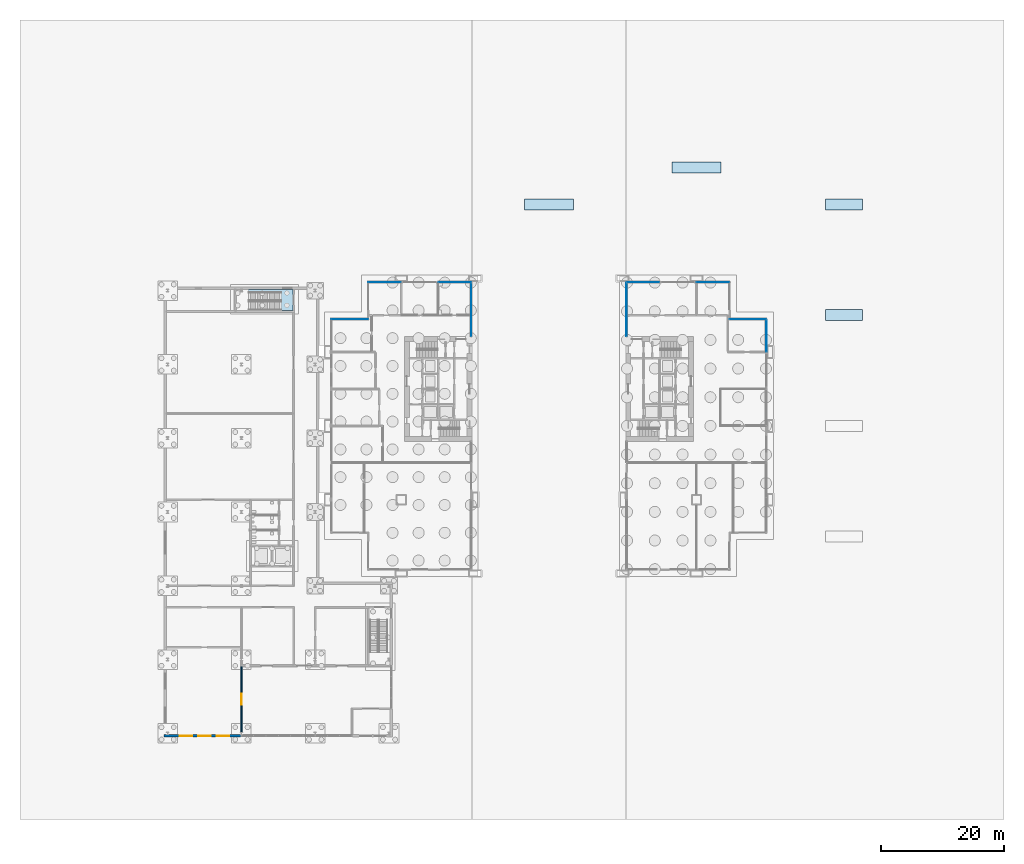
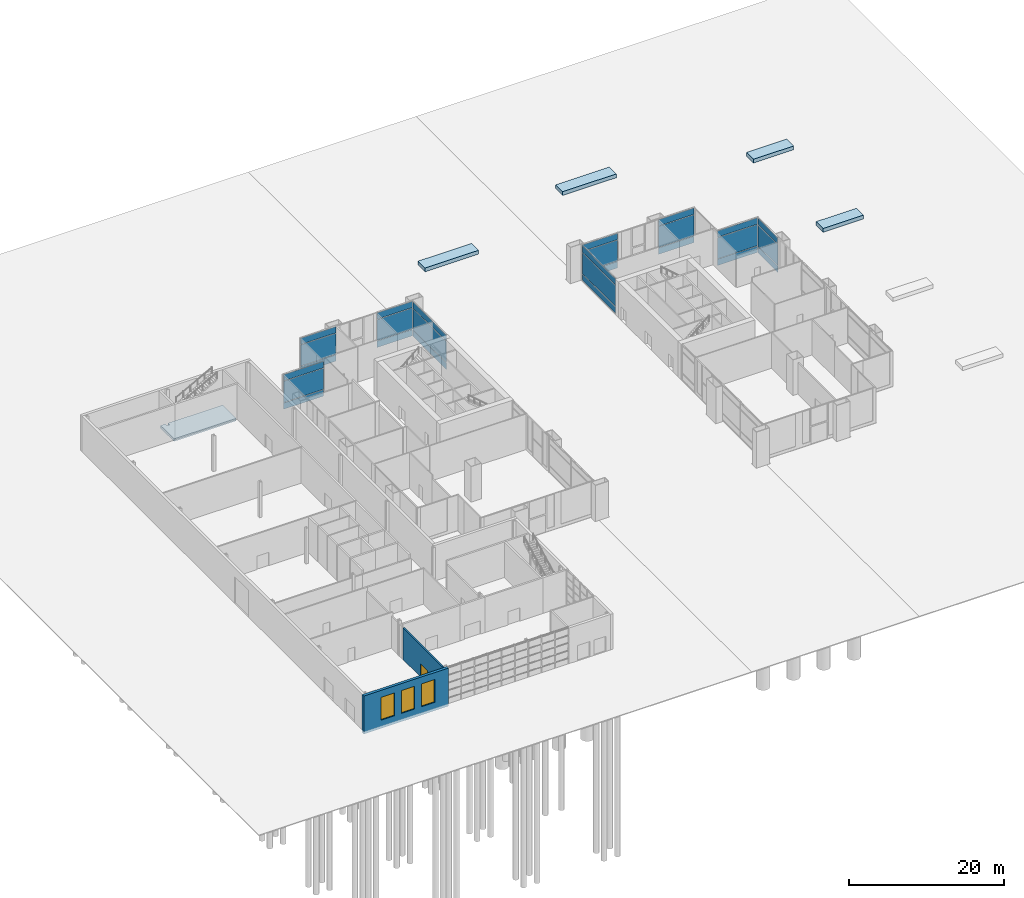
# One storey, part 17 of 29: 27 plates, 5 slabs, 3 windows, 2 walls, 1 door, 4 openings, 9 elements without a shape of their own.
"""IFC4 building model written with IfcOpenShell, lengths in metres."""

from ifc_helpers import new_model, si_unit, direction, frame, frame_2d, origin, origin_2d, place, context, subcontext, project, spatial, polyline, rectangle, outline, extrude, material, layer, layer_set, type_object, element, fill, aggregate, save


model = new_model("IFC4")

# Units and contexts
model_context = context("Model", 3, precision=1e-05, world=origin(), true_north=direction((0.0, 1.0)))
body_context = subcontext(model_context, "Body", "Model", "MODEL_VIEW")
ifc_project = project(units=[si_unit("LENGTHUNIT", "METRE"), si_unit("AREAUNIT", "SQUARE_METRE"), si_unit("VOLUMEUNIT", "CUBIC_METRE"), si_unit("PLANEANGLEUNIT", "RADIAN"), si_unit("MASSUNIT", "GRAM", prefix="KILO")], contexts=[model_context])

# Site, building, storey
site_placement = place(None, origin())
site = spatial("IfcSite", under=ifc_project, at=site_placement, CompositionType="ELEMENT")
building_placement = place(site_placement, origin())
building = spatial("IfcBuilding", under=site, at=building_placement, Name="Kitamizu Gate Tower and Museum", CompositionType="ELEMENT")
storey_placement = place(building_placement, origin())
storey = spatial("IfcBuildingStorey", under=building, at=storey_placement, Name="L00", CompositionType="ELEMENT", Elevation=0.0)

# Curtain wall, plates
ifc_material_1 = material(Name="Bronze anodised aluminium frame, tinted triple glazing", Category="aluminium")
curtain_wall_type_1 = type_object("IfcCurtainWallType", Name="CURTAIN WALL TYPE E PODIUM PLAZA", PredefinedType="NOTDEFINED", material=ifc_material_1)
curtain_wall_1_placement = place(storey_placement, origin())
curtain_wall_1 = element("IfcCurtainWall", 1, at=curtain_wall_1_placement, inside=storey, type_object=curtain_wall_type_1, Name="Curtain wall CW-E north L00", PredefinedType="NOTDEFINED")
ifc_material_2 = material(Name="Tinted insulating glass", Category="glass")
ifc_layer_1 = layer(ifc_material_2, 0.033935546875)
ifc_layer_set_1 = layer_set([ifc_layer_1], Name="Tinted insulating glass")
plate_type_1 = type_object("IfcPlateType", Name="GLASS PANEL 34 TYPE E", PredefinedType="CURTAIN_PANEL", material=ifc_layer_set_1)
plate_1_placement = place(storey_placement, frame((9.280029296875, 47.364990234375, 0.06982421875), z_axis=(0.0, 0.0, 1.0), x_axis=(1.0, 0.0, 0.0)))
plate_1 = element("IfcPlate", 2, at=plate_1_placement, type_object=plate_type_1, Name="CW-E panel 1.1", PredefinedType="CURTAIN_PANEL", context=body_context, shape_type="SweptSolid", body=[
    extrude(rectangle(XDim=5.280029296875, YDim=0.033935546875, at=origin_2d()), origin(), (0.0, 0.0, 1.0), 0.9951171875),
])
plate_2_placement = place(storey_placement, frame((9.280029296875, 47.364990234375, 1.135009765625), z_axis=(0.0, 0.0, 1.0), x_axis=(1.0, 0.0, 0.0)))
plate_2 = element("IfcPlate", 3, at=plate_2_placement, type_object=plate_type_1, Name="CW-E panel 1.2", PredefinedType="CURTAIN_PANEL", context=body_context, shape_type="SweptSolid", body=[
    extrude(rectangle(XDim=5.280029296875, YDim=0.033935546875, at=origin_2d()), origin(), (0.0, 0.0, 1.0), 3.330078125),
])
plate_3_placement = place(storey_placement, frame((9.280029296875, 47.364990234375, 4.534912109375), z_axis=(0.0, 0.0, 1.0), x_axis=(1.0, 0.0, 0.0)))
plate_3 = element("IfcPlate", 4, at=plate_3_placement, type_object=plate_type_1, Name="CW-E panel 1.3", PredefinedType="CURTAIN_PANEL", context=body_context, shape_type="SweptSolid", body=[
    extrude(rectangle(XDim=5.280029296875, YDim=0.033935546875, at=origin_2d()), origin(), (0.0, 0.0, 1.0), 0.9951171875),
])
aggregate(curtain_wall_1, [plate_1, plate_2, plate_3])

curtain_wall_2_placement = place(storey_placement, origin())
curtain_wall_2 = element("IfcCurtainWall", 5, at=curtain_wall_2_placement, inside=storey, type_object=curtain_wall_type_1, Name="Curtain wall CW-E north L00", PredefinedType="NOTDEFINED")
plate_4_placement = place(storey_placement, frame((20.719970703125, 47.364990234375, 0.06982421875), z_axis=(0.0, 0.0, 1.0), x_axis=(1.0, 0.0, 0.0)))
plate_4 = element("IfcPlate", 6, at=plate_4_placement, type_object=plate_type_1, Name="CW-E panel 1.1", PredefinedType="CURTAIN_PANEL", context=body_context, shape_type="SweptSolid", body=[
    extrude(rectangle(XDim=5.280029296875, YDim=0.033935546875, at=origin_2d()), origin(), (0.0, 0.0, 1.0), 0.9951171875),
])
plate_5_placement = place(storey_placement, frame((20.719970703125, 47.364990234375, 1.135009765625), z_axis=(0.0, 0.0, 1.0), x_axis=(1.0, 0.0, 0.0)))
plate_5 = element("IfcPlate", 7, at=plate_5_placement, type_object=plate_type_1, Name="CW-E panel 1.2", PredefinedType="CURTAIN_PANEL", context=body_context, shape_type="SweptSolid", body=[
    extrude(rectangle(XDim=5.280029296875, YDim=0.033935546875, at=origin_2d()), origin(), (0.0, 0.0, 1.0), 3.330078125),
])
plate_6_placement = place(storey_placement, frame((20.719970703125, 47.364990234375, 4.534912109375), z_axis=(0.0, 0.0, 1.0), x_axis=(1.0, 0.0, 0.0)))
plate_6 = element("IfcPlate", 8, at=plate_6_placement, type_object=plate_type_1, Name="CW-E panel 1.3", PredefinedType="CURTAIN_PANEL", context=body_context, shape_type="SweptSolid", body=[
    extrude(rectangle(XDim=5.280029296875, YDim=0.033935546875, at=origin_2d()), origin(), (0.0, 0.0, 1.0), 0.9951171875),
])
aggregate(curtain_wall_2, [plate_4, plate_5, plate_6])

curtain_wall_3_placement = place(storey_placement, origin())
curtain_wall_3 = element("IfcCurtainWall", 9, at=curtain_wall_3_placement, inside=storey, type_object=curtain_wall_type_1, Name="Curtain wall CW-E north L00", PredefinedType="NOTDEFINED")
plate_7_placement = place(storey_placement, frame((3.635009765625, 41.364990234375, 0.06982421875), z_axis=(0.0, 0.0, 1.0), x_axis=(1.0, 0.0, 0.0)))
plate_7 = element("IfcPlate", 10, at=plate_7_placement, type_object=plate_type_1, Name="CW-E panel 1.1", PredefinedType="CURTAIN_PANEL", context=body_context, shape_type="SweptSolid", body=[
    extrude(rectangle(XDim=5.989990234375, YDim=0.033935546875, at=origin_2d()), origin(), (0.0, 0.0, 1.0), 0.9951171875),
])
plate_8_placement = place(storey_placement, frame((3.635009765625, 41.364990234375, 1.135009765625), z_axis=(0.0, 0.0, 1.0), x_axis=(1.0, 0.0, 0.0)))
plate_8 = element("IfcPlate", 11, at=plate_8_placement, type_object=plate_type_1, Name="CW-E panel 1.2", PredefinedType="CURTAIN_PANEL", context=body_context, shape_type="SweptSolid", body=[
    extrude(rectangle(XDim=5.989990234375, YDim=0.033935546875, at=origin_2d()), origin(), (0.0, 0.0, 1.0), 3.330078125),
])
plate_9_placement = place(storey_placement, frame((3.635009765625, 41.364990234375, 4.534912109375), z_axis=(0.0, 0.0, 1.0), x_axis=(1.0, 0.0, 0.0)))
plate_9 = element("IfcPlate", 12, at=plate_9_placement, type_object=plate_type_1, Name="CW-E panel 1.3", PredefinedType="CURTAIN_PANEL", context=body_context, shape_type="SweptSolid", body=[
    extrude(rectangle(XDim=5.989990234375, YDim=0.033935546875, at=origin_2d()), origin(), (0.0, 0.0, 1.0), 0.9951171875),
])
aggregate(curtain_wall_3, [plate_7, plate_8, plate_9])

curtain_wall_4_placement = place(storey_placement, origin())
curtain_wall_4 = element("IfcCurtainWall", 13, at=curtain_wall_4_placement, inside=storey, type_object=curtain_wall_type_1, Name="Curtain wall CW-E north L00", PredefinedType="NOTDEFINED")
plate_10_placement = place(storey_placement, frame((68.364990234375, 41.364990234375, 0.06982421875), z_axis=(0.0, 0.0, 1.0), x_axis=(1.0, 0.0, 0.0)))
plate_10 = element("IfcPlate", 14, at=plate_10_placement, type_object=plate_type_1, Name="CW-E panel 1.1", PredefinedType="CURTAIN_PANEL", context=body_context, shape_type="SweptSolid", body=[
    extrude(rectangle(XDim=5.989990234375, YDim=0.033935546875, at=origin_2d()), origin(), (0.0, 0.0, 1.0), 0.9951171875),
])
plate_11_placement = place(storey_placement, frame((68.364990234375, 41.364990234375, 1.135009765625), z_axis=(0.0, 0.0, 1.0), x_axis=(1.0, 0.0, 0.0)))
plate_11 = element("IfcPlate", 15, at=plate_11_placement, type_object=plate_type_1, Name="CW-E panel 1.2", PredefinedType="CURTAIN_PANEL", context=body_context, shape_type="SweptSolid", body=[
    extrude(rectangle(XDim=5.989990234375, YDim=0.033935546875, at=origin_2d()), origin(), (0.0, 0.0, 1.0), 3.330078125),
])
plate_12_placement = place(storey_placement, frame((68.364990234375, 41.364990234375, 4.534912109375), z_axis=(0.0, 0.0, 1.0), x_axis=(1.0, 0.0, 0.0)))
plate_12 = element("IfcPlate", 16, at=plate_12_placement, type_object=plate_type_1, Name="CW-E panel 1.3", PredefinedType="CURTAIN_PANEL", context=body_context, shape_type="SweptSolid", body=[
    extrude(rectangle(XDim=5.989990234375, YDim=0.033935546875, at=origin_2d()), origin(), (0.0, 0.0, 1.0), 0.9951171875),
])
aggregate(curtain_wall_4, [plate_10, plate_11, plate_12])

curtain_wall_5_placement = place(storey_placement, origin())
curtain_wall_5 = element("IfcCurtainWall", 17, at=curtain_wall_5_placement, inside=storey, type_object=curtain_wall_type_1, Name="Curtain wall CW-E north L00", PredefinedType="NOTDEFINED")
plate_13_placement = place(storey_placement, frame((51.280029296875, 47.364990234375, 0.06982421875), z_axis=(0.0, 0.0, 1.0), x_axis=(1.0, 0.0, 0.0)))
plate_13 = element("IfcPlate", 18, at=plate_13_placement, type_object=plate_type_1, Name="CW-E panel 1.1", PredefinedType="CURTAIN_PANEL", context=body_context, shape_type="SweptSolid", body=[
    extrude(rectangle(XDim=5.280029296875, YDim=0.033935546875, at=origin_2d()), origin(), (0.0, 0.0, 1.0), 0.9951171875),
])
plate_14_placement = place(storey_placement, frame((51.280029296875, 47.364990234375, 1.135009765625), z_axis=(0.0, 0.0, 1.0), x_axis=(1.0, 0.0, 0.0)))
plate_14 = element("IfcPlate", 19, at=plate_14_placement, type_object=plate_type_1, Name="CW-E panel 1.2", PredefinedType="CURTAIN_PANEL", context=body_context, shape_type="SweptSolid", body=[
    extrude(rectangle(XDim=5.280029296875, YDim=0.033935546875, at=origin_2d()), origin(), (0.0, 0.0, 1.0), 3.330078125),
])
plate_15_placement = place(storey_placement, frame((51.280029296875, 47.364990234375, 4.534912109375), z_axis=(0.0, 0.0, 1.0), x_axis=(1.0, 0.0, 0.0)))
plate_15 = element("IfcPlate", 20, at=plate_15_placement, type_object=plate_type_1, Name="CW-E panel 1.3", PredefinedType="CURTAIN_PANEL", context=body_context, shape_type="SweptSolid", body=[
    extrude(rectangle(XDim=5.280029296875, YDim=0.033935546875, at=origin_2d()), origin(), (0.0, 0.0, 1.0), 0.9951171875),
])
aggregate(curtain_wall_5, [plate_13, plate_14, plate_15])

curtain_wall_6_placement = place(storey_placement, origin())
curtain_wall_6 = element("IfcCurtainWall", 21, at=curtain_wall_6_placement, inside=storey, type_object=curtain_wall_type_1, Name="Curtain wall CW-E north L00", PredefinedType="NOTDEFINED")
plate_16_placement = place(storey_placement, frame((62.719970703125, 47.364990234375, 0.06982421875), z_axis=(0.0, 0.0, 1.0), x_axis=(1.0, 0.0, 0.0)))
plate_16 = element("IfcPlate", 22, at=plate_16_placement, type_object=plate_type_1, Name="CW-E panel 1.1", PredefinedType="CURTAIN_PANEL", context=body_context, shape_type="SweptSolid", body=[
    extrude(rectangle(XDim=5.280029296875, YDim=0.033935546875, at=origin_2d()), origin(), (0.0, 0.0, 1.0), 0.9951171875),
])
plate_17_placement = place(storey_placement, frame((62.719970703125, 47.364990234375, 1.135009765625), z_axis=(0.0, 0.0, 1.0), x_axis=(1.0, 0.0, 0.0)))
plate_17 = element("IfcPlate", 23, at=plate_17_placement, type_object=plate_type_1, Name="CW-E panel 1.2", PredefinedType="CURTAIN_PANEL", context=body_context, shape_type="SweptSolid", body=[
    extrude(rectangle(XDim=5.280029296875, YDim=0.033935546875, at=origin_2d()), origin(), (0.0, 0.0, 1.0), 3.330078125),
])
plate_18_placement = place(storey_placement, frame((62.719970703125, 47.364990234375, 4.534912109375), z_axis=(0.0, 0.0, 1.0), x_axis=(1.0, 0.0, 0.0)))
plate_18 = element("IfcPlate", 24, at=plate_18_placement, type_object=plate_type_1, Name="CW-E panel 1.3", PredefinedType="CURTAIN_PANEL", context=body_context, shape_type="SweptSolid", body=[
    extrude(rectangle(XDim=5.280029296875, YDim=0.033935546875, at=origin_2d()), origin(), (0.0, 0.0, 1.0), 0.9951171875),
])
aggregate(curtain_wall_6, [plate_16, plate_17, plate_18])

ifc_material_3 = material(Name="Bronze anodised aluminium frame, tinted triple glazing", Category="aluminium")
curtain_wall_type_2 = type_object("IfcCurtainWallType", Name="CURTAIN WALL TYPE A PODIUM", PredefinedType="NOTDEFINED", material=ifc_material_3)
curtain_wall_7_placement = place(storey_placement, origin())
curtain_wall_7 = element("IfcCurtainWall", 25, at=curtain_wall_7_placement, inside=storey, type_object=curtain_wall_type_2, Name="Curtain wall CW-A east L00", PredefinedType="NOTDEFINED")
ifc_material_4 = material(Name="Tinted insulating glass", Category="glass")
ifc_layer_2 = layer(ifc_material_4, 0.035888671875)
ifc_layer_set_2 = layer_set([ifc_layer_2], Name="Tinted insulating glass")
plate_type_2 = type_object("IfcPlateType", Name="GLASS PANEL 36 TYPE A", PredefinedType="CURTAIN_PANEL", material=ifc_layer_set_2)
plate_19_placement = place(storey_placement, frame((23.364990234375, 42.89501953125, 0.080078125), z_axis=(0.0, 0.0, 1.0), x_axis=(0.0, 1.0, 0.0)))
plate_19 = element("IfcPlate", 26, at=plate_19_placement, type_object=plate_type_2, Name="CW-A panel 1.1", PredefinedType="CURTAIN_PANEL", context=body_context, shape_type="SweptSolid", body=[
    extrude(rectangle(XDim=8.610107421875, YDim=0.035888671875, at=origin_2d()), origin(), (0.0, 0.0, 1.0), 0.97998046875),
])
plate_20_placement = place(storey_placement, frame((23.364990234375, 42.89501953125, 1.14013671875), z_axis=(0.0, 0.0, 1.0), x_axis=(0.0, 1.0, 0.0)))
plate_20 = element("IfcPlate", 27, at=plate_20_placement, type_object=plate_type_2, Name="CW-A panel 1.2", PredefinedType="CURTAIN_PANEL", context=body_context, shape_type="SweptSolid", body=[
    extrude(rectangle(XDim=8.610107421875, YDim=0.035888671875, at=origin_2d()), origin(), (0.0, 0.0, 1.0), 3.320068359375),
])
plate_21_placement = place(storey_placement, frame((23.364990234375, 42.89501953125, 4.5400390625), z_axis=(0.0, 0.0, 1.0), x_axis=(0.0, 1.0, 0.0)))
plate_21 = element("IfcPlate", 28, at=plate_21_placement, type_object=plate_type_2, Name="CW-A panel 1.3", PredefinedType="CURTAIN_PANEL", context=body_context, shape_type="SweptSolid", body=[
    extrude(rectangle(XDim=8.610107421875, YDim=0.035888671875, at=origin_2d()), origin(), (0.0, 0.0, 1.0), 0.97998046875),
])
aggregate(curtain_wall_7, [plate_19, plate_20, plate_21])

curtain_wall_8_placement = place(storey_placement, origin())
curtain_wall_8 = element("IfcCurtainWall", 29, at=curtain_wall_8_placement, inside=storey, type_object=curtain_wall_type_2, Name="Curtain wall CW-A west L00", PredefinedType="NOTDEFINED")
plate_22_placement = place(storey_placement, frame((48.635009765625, 42.89501953125, 0.080078125), z_axis=(0.0, 0.0, 1.0), x_axis=(0.0, 1.0, 0.0)))
plate_22 = element("IfcPlate", 30, at=plate_22_placement, type_object=plate_type_2, Name="CW-A panel 1.1", PredefinedType="CURTAIN_PANEL", context=body_context, shape_type="SweptSolid", body=[
    extrude(rectangle(XDim=8.610107421875, YDim=0.035888671875, at=origin_2d()), origin(), (0.0, 0.0, 1.0), 0.97998046875),
])
plate_23_placement = place(storey_placement, frame((48.635009765625, 42.89501953125, 1.14013671875), z_axis=(0.0, 0.0, 1.0), x_axis=(0.0, 1.0, 0.0)))
plate_23 = element("IfcPlate", 31, at=plate_23_placement, type_object=plate_type_2, Name="CW-A panel 1.2", PredefinedType="CURTAIN_PANEL", context=body_context, shape_type="SweptSolid", body=[
    extrude(rectangle(XDim=8.610107421875, YDim=0.035888671875, at=origin_2d()), origin(), (0.0, 0.0, 1.0), 3.320068359375),
])
plate_24_placement = place(storey_placement, frame((48.635009765625, 42.89501953125, 4.5400390625), z_axis=(0.0, 0.0, 1.0), x_axis=(0.0, 1.0, 0.0)))
plate_24 = element("IfcPlate", 32, at=plate_24_placement, type_object=plate_type_2, Name="CW-A panel 1.3", PredefinedType="CURTAIN_PANEL", context=body_context, shape_type="SweptSolid", body=[
    extrude(rectangle(XDim=8.610107421875, YDim=0.035888671875, at=origin_2d()), origin(), (0.0, 0.0, 1.0), 0.97998046875),
])
aggregate(curtain_wall_8, [plate_22, plate_23, plate_24])

curtain_wall_9_placement = place(storey_placement, origin())
curtain_wall_9 = element("IfcCurtainWall", 33, at=curtain_wall_9_placement, inside=storey, type_object=curtain_wall_type_2, Name="Curtain wall CW-A east L00", PredefinedType="NOTDEFINED")
plate_25_placement = place(storey_placement, frame((71.364990234375, 38.64501953125, 0.080078125), z_axis=(0.0, 0.0, 1.0), x_axis=(0.0, 1.0, 0.0)))
plate_25 = element("IfcPlate", 34, at=plate_25_placement, type_object=plate_type_2, Name="CW-A panel 1.1", PredefinedType="CURTAIN_PANEL", context=body_context, shape_type="SweptSolid", body=[
    extrude(rectangle(XDim=5.110107421875, YDim=0.035888671875, at=origin_2d()), origin(), (0.0, 0.0, 1.0), 0.97998046875),
])
plate_26_placement = place(storey_placement, frame((71.364990234375, 38.64501953125, 1.14013671875), z_axis=(0.0, 0.0, 1.0), x_axis=(0.0, 1.0, 0.0)))
plate_26 = element("IfcPlate", 35, at=plate_26_placement, type_object=plate_type_2, Name="CW-A panel 1.2", PredefinedType="CURTAIN_PANEL", context=body_context, shape_type="SweptSolid", body=[
    extrude(rectangle(XDim=5.110107421875, YDim=0.035888671875, at=origin_2d()), origin(), (0.0, 0.0, 1.0), 3.320068359375),
])
plate_27_placement = place(storey_placement, frame((71.364990234375, 38.64501953125, 4.5400390625), z_axis=(0.0, 0.0, 1.0), x_axis=(0.0, 1.0, 0.0)))
plate_27 = element("IfcPlate", 36, at=plate_27_placement, type_object=plate_type_2, Name="CW-A panel 1.3", PredefinedType="CURTAIN_PANEL", context=body_context, shape_type="SweptSolid", body=[
    extrude(rectangle(XDim=5.110107421875, YDim=0.035888671875, at=origin_2d()), origin(), (0.0, 0.0, 1.0), 0.97998046875),
])
aggregate(curtain_wall_9, [plate_25, plate_26, plate_27])

# Slabs
ifc_material_5 = material(Name="Concrete Fc30", Category="concrete")
ifc_layer_3 = layer(ifc_material_5, 0.39990234375)
ifc_layer_set_3 = layer_set([ifc_layer_3], Name="Concrete Fc30")
slab_type_1 = type_object("IfcSlabType", Name="Museum ground slab 400", PredefinedType="BASESLAB", material=ifc_layer_set_3)
slab_1_placement = place(storey_placement, frame((0.0, 0.0, -0.39990234375)))
element("IfcSlab", 37, at=slab_1_placement, inside=storey, type_object=slab_type_1, Name="Floor slab L00.3", PredefinedType="BASESLAB", context=body_context, shape_type="SweptSolid", body=[
    extrude(outline(polyline([(-14.875, 42.72509765625), (-14.875, 46.199951171875), (-14.200439453125, 46.199951171875), (-14.200439453125, 45.799560546875), (-13.799560546875, 45.799560546875), (-13.799560546875, 46.199951171875), (-5.625, 46.199951171875), (-5.625, 42.72509765625), (-14.875, 42.72509765625)])), origin(), (0.0, 0.0, 1.0), 0.39990234375),
])
ifc_material_6 = material(Name="Concrete Fc42", Category="concrete")
ifc_layer_4 = layer(ifc_material_6, 0.60009765625)
ifc_layer_set_4 = layer_set([ifc_layer_4], Name="Concrete Fc42")
slab_type_2 = type_object("IfcSlabType", Name="PLANTER 600", PredefinedType="USERDEFINED", material=ifc_layer_set_4)
slab_2_placement = place(storey_placement, origin())
element("IfcSlab", 38, at=slab_2_placement, inside=storey, type_object=slab_type_2, Name="Planter 3", ObjectType="PLANTER", PredefinedType="USERDEFINED", context=body_context, shape_type="SweptSolid", body=[
    extrude(outline(polyline([(87.0, 41.10009765625), (87.0, 42.89990234375), (81.0, 42.89990234375), (81.0, 41.10009765625), (87.0, 41.10009765625)])), origin(), (0.0, 0.0, 1.0), 0.60009765625),
])
slab_3_placement = place(storey_placement, origin())
element("IfcSlab", 39, at=slab_3_placement, inside=storey, type_object=slab_type_2, Name="Planter 4", ObjectType="PLANTER", PredefinedType="USERDEFINED", context=body_context, shape_type="SweptSolid", body=[
    extrude(outline(polyline([(87.0, 59.10009765625), (87.0, 60.89990234375), (81.0, 60.89990234375), (81.0, 59.10009765625), (87.0, 59.10009765625)])), origin(), (0.0, 0.0, 1.0), 0.60009765625),
])
slab_4_placement = place(storey_placement, origin())
element("IfcSlab", 40, at=slab_4_placement, inside=storey, type_object=slab_type_2, Name="Planter 5", ObjectType="PLANTER", PredefinedType="USERDEFINED", context=body_context, shape_type="SweptSolid", body=[
    extrude(outline(polyline([(40.0, 59.10009765625), (40.0, 60.89990234375), (32.0, 60.89990234375), (32.0, 59.10009765625), (40.0, 59.10009765625)])), origin(), (0.0, 0.0, 1.0), 0.60009765625),
])
slab_5_placement = place(storey_placement, origin())
element("IfcSlab", 41, at=slab_5_placement, inside=storey, type_object=slab_type_2, Name="Planter 6", ObjectType="PLANTER", PredefinedType="USERDEFINED", context=body_context, shape_type="SweptSolid", body=[
    extrude(outline(polyline([(64.0, 65.10009765625), (64.0, 66.89990234375), (56.0, 66.89990234375), (56.0, 65.10009765625), (64.0, 65.10009765625)])), origin(), (0.0, 0.0, 1.0), 0.60009765625),
])

# Wall, openings, windows
ifc_material_7 = material(Name="Concrete Fc30 precast", Category="concrete")
ifc_layer_5 = layer(ifc_material_7, 0.39990234375)
ifc_layer_set_5 = layer_set([ifc_layer_5], Name="Concrete Fc30 precast")
wall_type_1 = type_object("IfcWallType", Name="Museum cladding wall 400", PredefinedType="STANDARD", material=ifc_layer_set_5)
wall_1_placement = place(storey_placement, frame((-26.60009765625, -26.39990234375, -0.39990234375), z_axis=(0.0, 0.0, 1.0), x_axis=(1.0, 0.0, 0.0)))
wall_1 = element("IfcWall", 42, at=wall_1_placement, inside=storey, type_object=wall_type_1, Name="Cladding wall L00.2", PredefinedType="STANDARD", context=body_context, shape_type="SweptSolid", body=[
    extrude(rectangle(XDim=12.60009765625, YDim=0.39990234375, at=frame_2d((6.300048828125, 0.0))), origin(), (0.0, 0.0, 1.0), 6.0),
])
opening_1_placement = place(wall_1_placement, frame((2.60009765625, 0.0, 1.300048828125)))
opening_1 = element("IfcOpeningElement", 43, at=opening_1_placement, cuts=wall_1, Name="Opening MWN1", PredefinedType="OPENING", context=body_context, shape_type="SweptSolid", body=[
    extrude(rectangle(XDim=2.0, YDim=3.60009765625, at=frame_2d((1.0, 1.800048828125))), frame((0.0, 0.2099609375, 0.0), z_axis=(0.0, -1.0, 0.0), x_axis=(1.0, 0.0, 0.0)), (0.0, 0.0, 1.0), 0.419921875),
])
opening_2_placement = place(wall_1_placement, frame((5.60009765625, 0.0, 1.300048828125)))
opening_2 = element("IfcOpeningElement", 44, at=opening_2_placement, cuts=wall_1, Name="Opening MWN1", PredefinedType="OPENING", context=body_context, shape_type="SweptSolid", body=[
    extrude(rectangle(XDim=2.0, YDim=3.60009765625, at=frame_2d((1.0, 1.800048828125))), frame((0.0, 0.2099609375, 0.0), z_axis=(0.0, -1.0, 0.0), x_axis=(1.0, 0.0, 0.0)), (0.0, 0.0, 1.0), 0.419921875),
])
opening_3_placement = place(wall_1_placement, frame((8.60009765625, 0.0, 1.300048828125)))
opening_3 = element("IfcOpeningElement", 45, at=opening_3_placement, cuts=wall_1, Name="Opening MWN1", PredefinedType="OPENING", context=body_context, shape_type="SweptSolid", body=[
    extrude(rectangle(XDim=2.0, YDim=3.60009765625, at=frame_2d((1.0, 1.800048828125))), frame((0.0, 0.2099609375, 0.0), z_axis=(0.0, -1.0, 0.0), x_axis=(1.0, 0.0, 0.0)), (0.0, 0.0, 1.0), 0.419921875),
])
ifc_material_8 = material(Name="Bronze anodised aluminium frame, tinted triple glazing", Category="aluminium")
window_type = type_object("IfcWindowType", Name="Museum window 2000x3600", PartitioningType="SINGLE_PANEL", PredefinedType="WINDOW", material=ifc_material_8)
window_1_placement = place(opening_1_placement, origin())
window_1 = element("IfcWindow", 46, at=window_1_placement, inside=storey, type_object=window_type, Name="Window", OverallHeight=3.60009765625, OverallWidth=2.0, PartitioningType="SINGLE_PANEL", PredefinedType="WINDOW", context=body_context, shape_type="SweptSolid", body=[
    extrude(rectangle(XDim=2.0, YDim=3.60009765625, at=frame_2d((1.0, 1.800048828125))), frame((0.0, 0.030029296875, 0.0), z_axis=(0.0, -1.0, 0.0), x_axis=(1.0, 0.0, 0.0)), (0.0, 0.0, 1.0), 0.06005859375),
])
fill(opening_1, window_1)
window_2_placement = place(opening_2_placement, origin())
window_2 = element("IfcWindow", 47, at=window_2_placement, inside=storey, type_object=window_type, Name="Window", OverallHeight=3.60009765625, OverallWidth=2.0, PartitioningType="SINGLE_PANEL", PredefinedType="WINDOW", context=body_context, shape_type="SweptSolid", body=[
    extrude(rectangle(XDim=2.0, YDim=3.60009765625, at=frame_2d((1.0, 1.800048828125))), frame((0.0, 0.030029296875, 0.0), z_axis=(0.0, -1.0, 0.0), x_axis=(1.0, 0.0, 0.0)), (0.0, 0.0, 1.0), 0.06005859375),
])
fill(opening_2, window_2)
window_3_placement = place(opening_3_placement, origin())
window_3 = element("IfcWindow", 48, at=window_3_placement, inside=storey, type_object=window_type, Name="Window", OverallHeight=3.60009765625, OverallWidth=2.0, PartitioningType="SINGLE_PANEL", PredefinedType="WINDOW", context=body_context, shape_type="SweptSolid", body=[
    extrude(rectangle(XDim=2.0, YDim=3.60009765625, at=frame_2d((1.0, 1.800048828125))), frame((0.0, 0.030029296875, 0.0), z_axis=(0.0, -1.0, 0.0), x_axis=(1.0, 0.0, 0.0)), (0.0, 0.0, 1.0), 0.06005859375),
])
fill(opening_3, window_3)

# Wall, opening, door
ifc_material_9 = material(Name="Gypsum board on galvanised stud")
ifc_layer_6 = layer(ifc_material_9, 0.199951171875)
ifc_layer_set_6 = layer_set([ifc_layer_6], Name="Gypsum board on galvanised stud")
wall_type_2 = type_object("IfcWallType", Name="Museum partition 200", PredefinedType="PARTITIONING", material=ifc_layer_set_6)
wall_2_placement = place(storey_placement, frame((-14.0, -25.800048828125, 0.0), z_axis=(0.0, 0.0, 1.0), x_axis=(0.0, 1.0, 0.0)))
wall_2 = element("IfcWall", 49, at=wall_2_placement, inside=storey, type_object=wall_type_2, Name="Partition L00.28.1", PredefinedType="PARTITIONING", context=body_context, shape_type="SweptSolid", body=[
    extrude(rectangle(XDim=10.675048828125, YDim=0.199951171875, at=frame_2d((5.33740234375, 0.0))), origin(), (0.0, 0.0, 1.0), 5.011962890625),
])
opening_4_placement = place(wall_2_placement, frame((4.43798828125, 0.0, 0.0)))
opening_4 = element("IfcOpeningElement", 50, at=opening_4_placement, cuts=wall_2, Name="Opening MUS-L00-020", PredefinedType="OPENING", context=body_context, shape_type="SweptSolid", body=[
    extrude(rectangle(XDim=1.800048828125, YDim=2.10009765625, at=frame_2d((0.89990234375, 1.050048828125))), frame((0.0, 0.10986328125, 0.0), z_axis=(0.0, -1.0, 0.0), x_axis=(1.0, 0.0, 0.0)), (0.0, 0.0, 1.0), 0.219970703125),
])
ifc_material_10 = material(Name="Timber leaf in hollow metal frame", Category="wood")
door_type = type_object("IfcDoorType", Name="Museum door 1800x2100", OperationType="DOUBLE_DOOR_SINGLE_SWING", PredefinedType="DOOR", material=ifc_material_10)
door_placement = place(opening_4_placement, origin())
door = element("IfcDoor", 51, at=door_placement, inside=storey, type_object=door_type, Name="Door Cafe", OperationType="DOUBLE_DOOR_SINGLE_SWING", OverallHeight=2.10009765625, OverallWidth=1.800048828125, PredefinedType="DOOR", context=body_context, shape_type="SweptSolid", body=[
    extrude(rectangle(XDim=1.800048828125, YDim=2.10009765625, at=frame_2d((0.89990234375, 1.050048828125))), frame((0.0, 0.02490234375, 0.0), z_axis=(0.0, -1.0, 0.0), x_axis=(1.0, 0.0, 0.0)), (0.0, 0.0, 1.0), 0.050048828125),
])
fill(opening_4, door)

save(model, "model.ifc")
